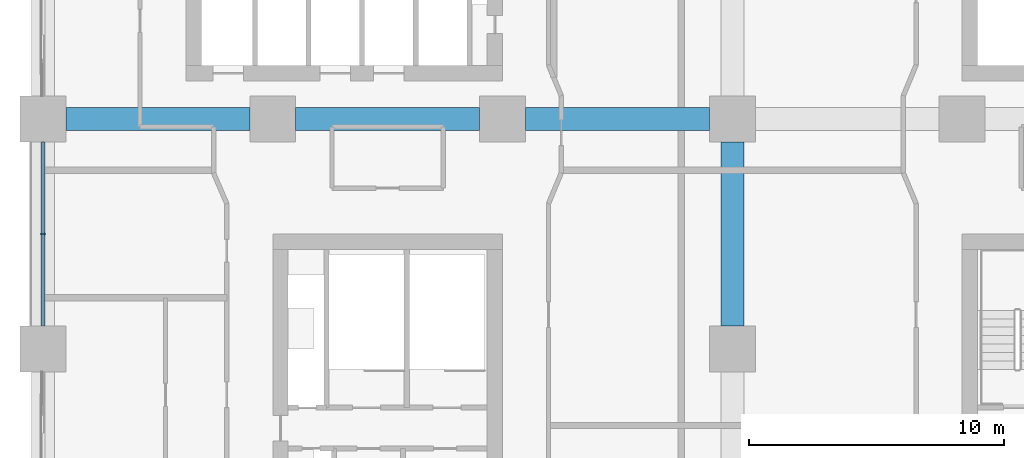
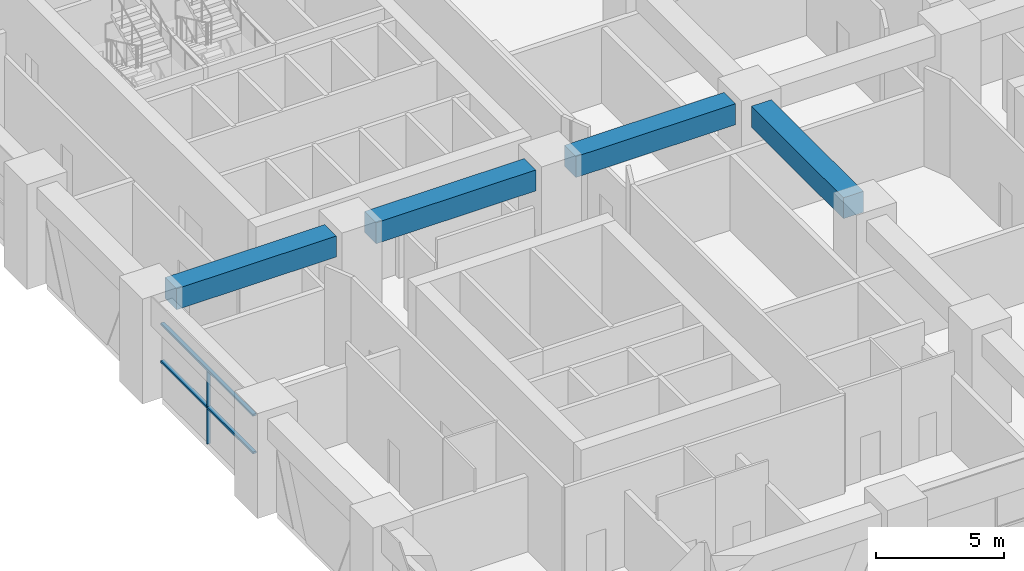
# One storey, part 4 of 26: 4 beams, 3 members, 1 element without a shape of its own.
"""IFC4 building model written with IfcOpenShell, lengths in metres."""

from ifc_helpers import new_model, si_unit, direction, frame, origin, origin_2d, place, context, subcontext, project, spatial, rectangle, extrude, material, material_profile, profile_set, type_object, element, aggregate, save


model = new_model("IFC4")

# Units and contexts
model_context = context("Model", 3, precision=1e-05, world=origin(), true_north=direction((0.0, 1.0)))
body_context = subcontext(model_context, "Body", "Model", "MODEL_VIEW")
ifc_project = project(units=[si_unit("LENGTHUNIT", "METRE"), si_unit("AREAUNIT", "SQUARE_METRE"), si_unit("VOLUMEUNIT", "CUBIC_METRE"), si_unit("PLANEANGLEUNIT", "RADIAN"), si_unit("MASSUNIT", "GRAM", prefix="KILO")], contexts=[model_context])

# Site, building, storey
site_placement = place(None, origin())
site = spatial("IfcSite", under=ifc_project, at=site_placement, CompositionType="ELEMENT")
building_placement = place(site_placement, origin())
building = spatial("IfcBuilding", under=site, at=building_placement, Name="Tessera Arch", CompositionType="ELEMENT")
storey_placement = place(building_placement, frame((0.0, 0.0, 72.800048828125)))
storey = spatial("IfcBuildingStorey", under=building, at=storey_placement, Name="L16", CompositionType="ELEMENT", Elevation=72.800048828125)

# Curtain wall, members
ifc_material_1 = material(Name="CW1 curtain wall")
curtain_wall_type = type_object("IfcCurtainWallType", Name="CW1 curtain wall", PredefinedType="NOTDEFINED", material=ifc_material_1)
curtain_wall_placement = place(storey_placement, origin())
curtain_wall = element("IfcCurtainWall", 1, at=curtain_wall_placement, inside=storey, type_object=curtain_wall_type, Name="CW1 curtain wall W0.0/3 L16", PredefinedType="NOTDEFINED")
ifc_material_2 = material(Name="Anodised aluminium pale metal", Category="aluminium")
ifc_material_profile_1 = material_profile(ifc_material_2, rectangle(XDim=0.159912109375, YDim=0.06005859375, at=origin_2d()), Name="AL 60x160")
ifc_profile_set_1 = profile_set([ifc_material_profile_1], Name="Anodised aluminium pale metal")
member_type_1 = type_object("IfcMemberType", Name="CW1 mullion", PredefinedType="MULLION", material=ifc_profile_set_1)
member_1_placement = place(storey_placement, frame((0.0, 22.5, 0.0), z_axis=(0.0, 0.0, 1.0), x_axis=(1.0, 0.0, 0.0)))
member_1 = element("IfcMember", 2, at=member_1_placement, type_object=member_type_1, Name="CW1 mullion W0.0/3 1", PredefinedType="MULLION", context=body_context, shape_type="SweptSolid", body=[
    extrude(rectangle(XDim=0.159912109375, YDim=0.06005859375, at=origin_2d()), origin(), (0.0, 0.0, 1.0), 3.489990234375),
])
ifc_material_3 = material(Name="Anodised aluminium pale metal", Category="aluminium")
ifc_material_profile_2 = material_profile(ifc_material_3, rectangle(XDim=0.159912109375, YDim=0.10009765625, at=origin_2d()), Name="AL 160x100")
ifc_profile_set_2 = profile_set([ifc_material_profile_2], Name="Anodised aluminium pale metal")
member_type_2 = type_object("IfcMemberType", Name="CW1 transom", PredefinedType="USERDEFINED", material=ifc_profile_set_2)
member_2_placement = place(storey_placement, frame((0.0, 26.10009765625, 3.5400390625), z_axis=(0.0, -1.0, 0.0), x_axis=(1.0, 0.0, 0.0)))
member_2 = element("IfcMember", 3, at=member_2_placement, type_object=member_type_2, Name="CW1 transom W0.0/3 1.1", ObjectType="TRANSOM", PredefinedType="USERDEFINED", context=body_context, shape_type="SweptSolid", body=[
    extrude(rectangle(XDim=0.159912109375, YDim=0.10009765625, at=origin_2d()), origin(), (0.0, 0.0, 1.0), 7.2001953125),
])
member_3_placement = place(storey_placement, frame((0.0, 26.10009765625, 1.744873046875), z_axis=(0.0, -1.0, 0.0), x_axis=(1.0, 0.0, 0.0)))
member_3 = element("IfcMember", 4, at=member_3_placement, type_object=member_type_2, Name="CW1 transom W0.0/3 2.1", ObjectType="TRANSOM", PredefinedType="USERDEFINED", context=body_context, shape_type="SweptSolid", body=[
    extrude(rectangle(XDim=0.159912109375, YDim=0.10009765625, at=origin_2d()), origin(), (0.0, 0.0, 1.0), 7.2001953125),
])
aggregate(curtain_wall, [member_1, member_2, member_3])

# Beams
ifc_material_4 = material(Name="Concrete C80/95", Category="concrete")
ifc_material_profile_3 = material_profile(ifc_material_4, rectangle(XDim=0.89990234375, YDim=1.0, at=origin_2d()), Name="RC spandrel beam 900 x 1000 Concrete C80/95")
ifc_profile_set_3 = profile_set([ifc_material_profile_3], Name="Concrete C80/95")
beam_type = type_object("IfcBeamType", Name="RC spandrel beam 900 x 1000 Concrete C80/95", PredefinedType="BEAM", material=ifc_profile_set_3)
for number, where, z_axis, x_axis, name in (
    (5, (27.0, 18.89990234375, 4.08984375), (0.0, 1.0, 0.0), (-1.0, 0.0, 0.0), "Interface beam L16 I0C4C-C4D"),
    (6, (0.89990234375, 27.0, 4.08984375), (1.0, 0.0, 0.0), (0.0, 1.0, 0.0), "Interface beam L16 I1C1D-C2D"),
    (7, (9.89990234375, 27.0, 4.08984375), (1.0, 0.0, 0.0), (0.0, 1.0, 0.0), "Interface beam L16 I1C2D-C3D"),
    (8, (18.89990234375, 27.0, 4.08984375), (1.0, 0.0, 0.0), (0.0, 1.0, 0.0), "Interface beam L16 I1C3D-C4D"),
):
    element("IfcBeam", number, at=place(storey_placement, frame(where, z_axis=z_axis, x_axis=x_axis)), inside=storey, type_object=beam_type, Name=name, PredefinedType="BEAM", context=body_context, shape_type="SweptSolid", body=[
        extrude(rectangle(XDim=0.89990234375, YDim=1.0, at=origin_2d()), origin(), (0.0, 0.0, 1.0), 7.2001953125),
    ])

save(model, "model.ifc")
